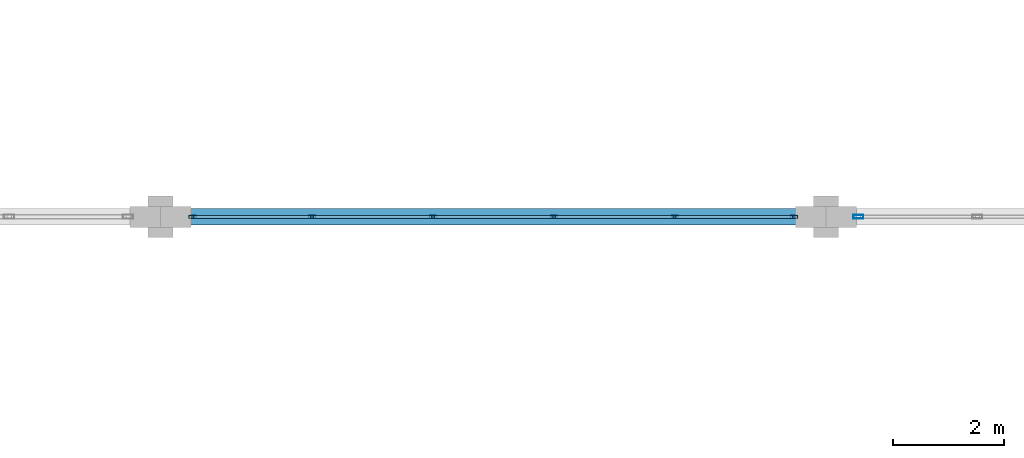
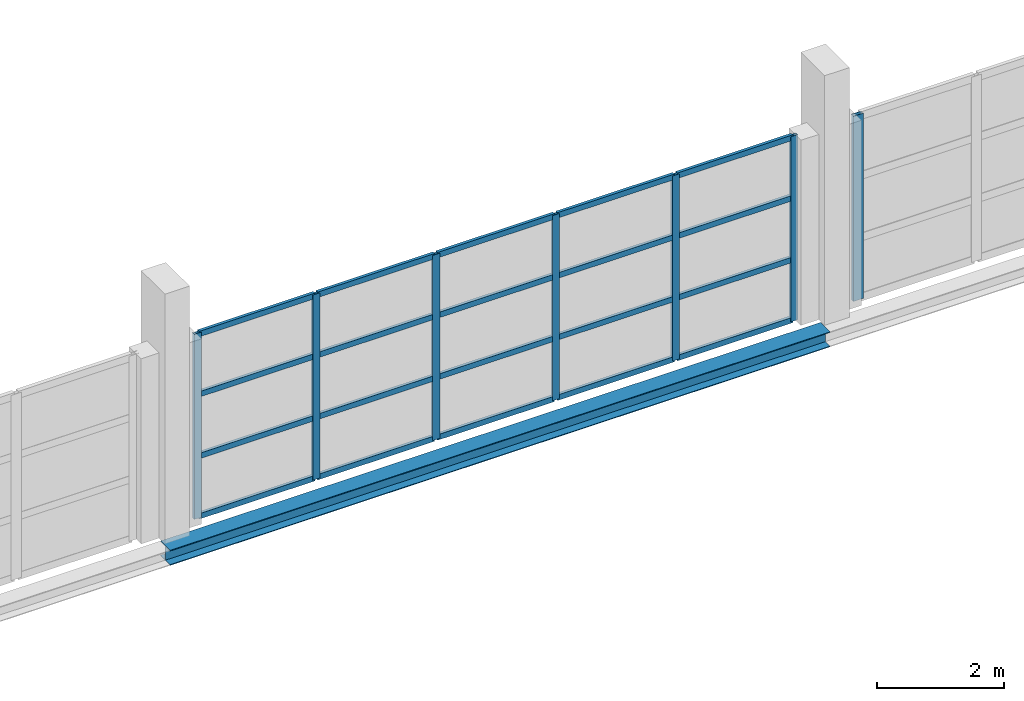
# One storey, part 87 of 147: 27 members, 1 beam, 2 elements without a shape of their own.
"""IFC4 building model written with IfcOpenShell, lengths in metres."""

from ifc_helpers import new_model, si_unit, direction, frame, origin, origin_2d, place, context, subcontext, project, spatial, hollow_rectangle, i_section, extrude, material, layer, layer_set, material_profile, profile_set, type_object, element, aggregate, save


model = new_model("IFC4")

# Units and contexts
model_context = context("Model", 3, precision=1e-05, world=origin(), true_north=direction((0.0, 1.0)))
body_context = subcontext(model_context, "Body", "Model", "MODEL_VIEW")
ifc_project = project(units=[si_unit("LENGTHUNIT", "METRE"), si_unit("AREAUNIT", "SQUARE_METRE"), si_unit("VOLUMEUNIT", "CUBIC_METRE"), si_unit("PLANEANGLEUNIT", "RADIAN"), si_unit("MASSUNIT", "GRAM", prefix="KILO")], contexts=[model_context])

# Site, building, storey
site_placement = place(None, origin())
site = spatial("IfcSite", under=ifc_project, at=site_placement, CompositionType="ELEMENT")
building_placement = place(site_placement, origin())
building = spatial("IfcBuilding", under=site, at=building_placement, Name="Zilviju Railside Exhibition Hall", CompositionType="ELEMENT")
storey_placement = place(building_placement, frame((0.0, 0.0, 8.39990234375)))
storey = spatial("IfcBuildingStorey", under=building, at=storey_placement, Name="L03", CompositionType="ELEMENT", Elevation=8.39990234375)

# Beam
ifc_material_1 = material(Name="Steel S355J2", Category="steel")
ifc_material_profile_1 = material_profile(ifc_material_1, i_section(OverallWidth=0.300048828125, OverallDepth=0.2900390625, WebThickness=0.008544921875, FlangeThickness=0.013916015625, at=origin_2d()), Name="HEA 300")
ifc_profile_set_1 = profile_set([ifc_material_profile_1], Name="Steel S355J2")
beam_type = type_object("IfcBeamType", Name="BM-HEA300", PredefinedType="SPANDREL", material=ifc_profile_set_1)
beam_placement = place(storey_placement, frame((192.0, 54.0, -0.48486328125), z_axis=(1.0, 0.0, 0.0), x_axis=(0.0, 1.0, 0.0)))
element("IfcBeam", 1, at=beam_placement, inside=storey, type_object=beam_type, Name="Primary Girder L03 Y=54.0 (192.0..204.0)", PredefinedType="SPANDREL", context=body_context, shape_type="SweptSolid", body=[
    extrude(i_section(OverallWidth=0.300048828125, OverallDepth=0.2900390625, WebThickness=0.008544921875, FlangeThickness=0.013916015625, at=origin_2d()), origin(), (0.0, 0.0, 1.0), 12.0),
])

# Curtain wall, members
ifc_material_2 = material(Name="Thermally broken aluminium-steel triple-glazed curtain wall", Category="steel")
ifc_layer_1 = layer(ifc_material_2, 0.179931640625)
ifc_layer_set_1 = layer_set([ifc_layer_1], Name="Thermally broken aluminium-steel triple-glazed curtain wall")
curtain_wall_type_1 = type_object("IfcCurtainWallType", Name="CW-BAY-14", PredefinedType="USERDEFINED", material=ifc_layer_set_1)
curtain_wall_1_placement = place(storey_placement, origin())
curtain_wall_1 = element("IfcCurtainWall", 2, at=curtain_wall_1_placement, inside=storey, type_object=curtain_wall_type_1, Name="South Hall Garden Court Curtain Wall L03 (192..204)", ObjectType="GLAZED CURTAIN WALL", PredefinedType="USERDEFINED")
ifc_material_3 = material(Name="Thermally broken anodized aluminium mullion", Category="aluminium")
ifc_material_profile_2 = material_profile(ifc_material_3, hollow_rectangle(XDim=0.054931640625, YDim=0.1298828125, WallThickness=0.0048828125, at=origin_2d()), Name="MULLION 130x55x5")
ifc_profile_set_2 = profile_set([ifc_material_profile_2], Name="Thermally broken anodized aluminium mullion")
member_type_1 = type_object("IfcMemberType", Name="CWM-55x130", PredefinedType="MULLION", material=ifc_profile_set_2)
member_1_placement = place(storey_placement, frame((192.577392578125, 54.0, 0.0), z_axis=(0.0, 0.0, 1.0), x_axis=(0.0, 1.0, 0.0)))
member_1 = element("IfcMember", 3, at=member_1_placement, type_object=member_type_1, Name="CW-14 mullion 1", PredefinedType="MULLION", context=body_context, shape_type="SweptSolid", body=[
    extrude(hollow_rectangle(XDim=0.054931640625, YDim=0.1298828125, WallThickness=0.0048828125, at=origin_2d()), origin(), (0.0, 0.0, 1.0), 3.56005859375),
])
member_2_placement = place(storey_placement, frame((194.72998046875, 54.0, 0.0), z_axis=(0.0, 0.0, 1.0), x_axis=(0.0, 1.0, 0.0)))
member_2 = element("IfcMember", 4, at=member_2_placement, type_object=member_type_1, Name="CW-14 mullion 2", PredefinedType="MULLION", context=body_context, shape_type="SweptSolid", body=[
    extrude(hollow_rectangle(XDim=0.054931640625, YDim=0.1298828125, WallThickness=0.0048828125, at=origin_2d()), origin(), (0.0, 0.0, 1.0), 3.56005859375),
])
member_3_placement = place(storey_placement, frame((196.909912109375, 54.0, 0.0), z_axis=(0.0, 0.0, 1.0), x_axis=(0.0, 1.0, 0.0)))
member_3 = element("IfcMember", 5, at=member_3_placement, type_object=member_type_1, Name="CW-14 mullion 3", PredefinedType="MULLION", context=body_context, shape_type="SweptSolid", body=[
    extrude(hollow_rectangle(XDim=0.054931640625, YDim=0.1298828125, WallThickness=0.0048828125, at=origin_2d()), origin(), (0.0, 0.0, 1.0), 3.56005859375),
])
member_4_placement = place(storey_placement, frame((199.090087890625, 54.0, 0.0), z_axis=(0.0, 0.0, 1.0), x_axis=(0.0, 1.0, 0.0)))
member_4 = element("IfcMember", 6, at=member_4_placement, type_object=member_type_1, Name="CW-14 mullion 4", PredefinedType="MULLION", context=body_context, shape_type="SweptSolid", body=[
    extrude(hollow_rectangle(XDim=0.054931640625, YDim=0.1298828125, WallThickness=0.0048828125, at=origin_2d()), origin(), (0.0, 0.0, 1.0), 3.56005859375),
])
member_5_placement = place(storey_placement, frame((201.27001953125, 54.0, 0.0), z_axis=(0.0, 0.0, 1.0), x_axis=(0.0, 1.0, 0.0)))
member_5 = element("IfcMember", 7, at=member_5_placement, type_object=member_type_1, Name="CW-14 mullion 5", PredefinedType="MULLION", context=body_context, shape_type="SweptSolid", body=[
    extrude(hollow_rectangle(XDim=0.054931640625, YDim=0.1298828125, WallThickness=0.0048828125, at=origin_2d()), origin(), (0.0, 0.0, 1.0), 3.56005859375),
])
member_6_placement = place(storey_placement, frame((203.422607421875, 54.0, 0.0), z_axis=(0.0, 0.0, 1.0), x_axis=(0.0, 1.0, 0.0)))
member_6 = element("IfcMember", 8, at=member_6_placement, type_object=member_type_1, Name="CW-14 mullion 6", PredefinedType="MULLION", context=body_context, shape_type="SweptSolid", body=[
    extrude(hollow_rectangle(XDim=0.054931640625, YDim=0.1298828125, WallThickness=0.0048828125, at=origin_2d()), origin(), (0.0, 0.0, 1.0), 3.56005859375),
])

# Curtain wall, member
ifc_layer_2 = layer(ifc_material_2, 0.179931640625)
ifc_layer_set_2 = layer_set([ifc_layer_2], Name="Thermally broken aluminium-steel triple-glazed curtain wall")
curtain_wall_type_2 = type_object("IfcCurtainWallType", Name="CW-BAY-15", PredefinedType="USERDEFINED", material=ifc_layer_set_2)
curtain_wall_2_placement = place(storey_placement, origin())
curtain_wall_2 = element("IfcCurtainWall", 9, at=curtain_wall_2_placement, inside=storey, type_object=curtain_wall_type_2, Name="South Hall Garden Court Curtain Wall L03 (204..216)", ObjectType="GLAZED CURTAIN WALL", PredefinedType="USERDEFINED")
ifc_material_profile_3 = material_profile(ifc_material_3, hollow_rectangle(XDim=0.070068359375, YDim=0.179931640625, WallThickness=0.0048828125, at=origin_2d()), Name="MULLION 180x70x5")
ifc_profile_set_3 = profile_set([ifc_material_profile_3], Name="Thermally broken anodized aluminium mullion")
member_type_2 = type_object("IfcMemberType", Name="CWM-70x180", PredefinedType="MULLION", material=ifc_profile_set_3)
member_7_placement = place(storey_placement, frame((204.5849609375, 54.0, 0.0), z_axis=(0.0, 0.0, 1.0), x_axis=(0.0, 1.0, 0.0)))
member_7 = element("IfcMember", 10, at=member_7_placement, type_object=member_type_2, Name="CW-15 mullion 1", PredefinedType="MULLION", context=body_context, shape_type="SweptSolid", body=[
    extrude(hollow_rectangle(XDim=0.070068359375, YDim=0.179931640625, WallThickness=0.0048828125, at=origin_2d()), origin(), (0.0, 0.0, 1.0), 3.56005859375),
])
aggregate(curtain_wall_2, [member_7])

# Member
ifc_material_4 = material(Name="Thermally broken anodized aluminium transom", Category="aluminium")
ifc_material_profile_4 = material_profile(ifc_material_4, hollow_rectangle(XDim=0.054931640625, YDim=0.10498046875, WallThickness=0.0048828125, at=origin_2d()), Name="TRANSOM 105x55x5")
ifc_profile_set_4 = profile_set([ifc_material_profile_4], Name="Thermally broken anodized aluminium transom")
member_type_3 = type_object("IfcMemberType", Name="CWT-55x105", PredefinedType="USERDEFINED", material=ifc_profile_set_4)
member_8_placement = place(storey_placement, frame((192.60498046875, 54.0, 0.027587890625), z_axis=(1.0, 0.0, 0.0), x_axis=(0.0, 1.0, 0.0)))
member_8 = element("IfcMember", 11, at=member_8_placement, type_object=member_type_3, Name="CW-14 transom 1.1", ObjectType="TRANSOM", PredefinedType="USERDEFINED", context=body_context, shape_type="SweptSolid", body=[
    extrude(hollow_rectangle(XDim=0.054931640625, YDim=0.10498046875, WallThickness=0.0048828125, at=origin_2d()), origin(), (0.0, 0.0, 1.0), 2.097412109375),
])

member_9_placement = place(storey_placement, frame((192.60498046875, 54.0, 1.18701171875), z_axis=(1.0, 0.0, 0.0), x_axis=(0.0, 1.0, 0.0)))
member_9 = element("IfcMember", 12, at=member_9_placement, type_object=member_type_3, Name="CW-14 transom 1.2", ObjectType="TRANSOM", PredefinedType="USERDEFINED", context=body_context, shape_type="SweptSolid", body=[
    extrude(hollow_rectangle(XDim=0.054931640625, YDim=0.10498046875, WallThickness=0.0048828125, at=origin_2d()), origin(), (0.0, 0.0, 1.0), 2.097412109375),
])

member_10_placement = place(storey_placement, frame((192.60498046875, 54.0, 2.373046875), z_axis=(1.0, 0.0, 0.0), x_axis=(0.0, 1.0, 0.0)))
member_10 = element("IfcMember", 13, at=member_10_placement, type_object=member_type_3, Name="CW-14 transom 1.3", ObjectType="TRANSOM", PredefinedType="USERDEFINED", context=body_context, shape_type="SweptSolid", body=[
    extrude(hollow_rectangle(XDim=0.054931640625, YDim=0.10498046875, WallThickness=0.0048828125, at=origin_2d()), origin(), (0.0, 0.0, 1.0), 2.097412109375),
])

member_11_placement = place(storey_placement, frame((192.60498046875, 54.0, 3.53271484375), z_axis=(1.0, 0.0, 0.0), x_axis=(0.0, 1.0, 0.0)))
member_11 = element("IfcMember", 14, at=member_11_placement, type_object=member_type_3, Name="CW-14 transom 1.4", ObjectType="TRANSOM", PredefinedType="USERDEFINED", context=body_context, shape_type="SweptSolid", body=[
    extrude(hollow_rectangle(XDim=0.054931640625, YDim=0.10498046875, WallThickness=0.0048828125, at=origin_2d()), origin(), (0.0, 0.0, 1.0), 2.097412109375),
])

member_12_placement = place(storey_placement, frame((194.757568359375, 54.0, 0.027587890625), z_axis=(1.0, 0.0, 0.0), x_axis=(0.0, 1.0, 0.0)))
member_12 = element("IfcMember", 15, at=member_12_placement, type_object=member_type_3, Name="CW-14 transom 2.1", ObjectType="TRANSOM", PredefinedType="USERDEFINED", context=body_context, shape_type="SweptSolid", body=[
    extrude(hollow_rectangle(XDim=0.054931640625, YDim=0.10498046875, WallThickness=0.0048828125, at=origin_2d()), origin(), (0.0, 0.0, 1.0), 2.125),
])

member_13_placement = place(storey_placement, frame((194.757568359375, 54.0, 1.18701171875), z_axis=(1.0, 0.0, 0.0), x_axis=(0.0, 1.0, 0.0)))
member_13 = element("IfcMember", 16, at=member_13_placement, type_object=member_type_3, Name="CW-14 transom 2.2", ObjectType="TRANSOM", PredefinedType="USERDEFINED", context=body_context, shape_type="SweptSolid", body=[
    extrude(hollow_rectangle(XDim=0.054931640625, YDim=0.10498046875, WallThickness=0.0048828125, at=origin_2d()), origin(), (0.0, 0.0, 1.0), 2.125),
])

member_14_placement = place(storey_placement, frame((194.757568359375, 54.0, 2.373046875), z_axis=(1.0, 0.0, 0.0), x_axis=(0.0, 1.0, 0.0)))
member_14 = element("IfcMember", 17, at=member_14_placement, type_object=member_type_3, Name="CW-14 transom 2.3", ObjectType="TRANSOM", PredefinedType="USERDEFINED", context=body_context, shape_type="SweptSolid", body=[
    extrude(hollow_rectangle(XDim=0.054931640625, YDim=0.10498046875, WallThickness=0.0048828125, at=origin_2d()), origin(), (0.0, 0.0, 1.0), 2.125),
])

member_15_placement = place(storey_placement, frame((194.757568359375, 54.0, 3.53271484375), z_axis=(1.0, 0.0, 0.0), x_axis=(0.0, 1.0, 0.0)))
member_15 = element("IfcMember", 18, at=member_15_placement, type_object=member_type_3, Name="CW-14 transom 2.4", ObjectType="TRANSOM", PredefinedType="USERDEFINED", context=body_context, shape_type="SweptSolid", body=[
    extrude(hollow_rectangle(XDim=0.054931640625, YDim=0.10498046875, WallThickness=0.0048828125, at=origin_2d()), origin(), (0.0, 0.0, 1.0), 2.125),
])

member_16_placement = place(storey_placement, frame((196.9375, 54.0, 0.027587890625), z_axis=(1.0, 0.0, 0.0), x_axis=(0.0, 1.0, 0.0)))
member_16 = element("IfcMember", 19, at=member_16_placement, type_object=member_type_3, Name="CW-14 transom 3.1", ObjectType="TRANSOM", PredefinedType="USERDEFINED", context=body_context, shape_type="SweptSolid", body=[
    extrude(hollow_rectangle(XDim=0.054931640625, YDim=0.10498046875, WallThickness=0.0048828125, at=origin_2d()), origin(), (0.0, 0.0, 1.0), 2.125),
])

member_17_placement = place(storey_placement, frame((196.9375, 54.0, 1.18701171875), z_axis=(1.0, 0.0, 0.0), x_axis=(0.0, 1.0, 0.0)))
member_17 = element("IfcMember", 20, at=member_17_placement, type_object=member_type_3, Name="CW-14 transom 3.2", ObjectType="TRANSOM", PredefinedType="USERDEFINED", context=body_context, shape_type="SweptSolid", body=[
    extrude(hollow_rectangle(XDim=0.054931640625, YDim=0.10498046875, WallThickness=0.0048828125, at=origin_2d()), origin(), (0.0, 0.0, 1.0), 2.125),
])

member_18_placement = place(storey_placement, frame((196.9375, 54.0, 2.373046875), z_axis=(1.0, 0.0, 0.0), x_axis=(0.0, 1.0, 0.0)))
member_18 = element("IfcMember", 21, at=member_18_placement, type_object=member_type_3, Name="CW-14 transom 3.3", ObjectType="TRANSOM", PredefinedType="USERDEFINED", context=body_context, shape_type="SweptSolid", body=[
    extrude(hollow_rectangle(XDim=0.054931640625, YDim=0.10498046875, WallThickness=0.0048828125, at=origin_2d()), origin(), (0.0, 0.0, 1.0), 2.125),
])

member_19_placement = place(storey_placement, frame((196.9375, 54.0, 3.53271484375), z_axis=(1.0, 0.0, 0.0), x_axis=(0.0, 1.0, 0.0)))
member_19 = element("IfcMember", 22, at=member_19_placement, type_object=member_type_3, Name="CW-14 transom 3.4", ObjectType="TRANSOM", PredefinedType="USERDEFINED", context=body_context, shape_type="SweptSolid", body=[
    extrude(hollow_rectangle(XDim=0.054931640625, YDim=0.10498046875, WallThickness=0.0048828125, at=origin_2d()), origin(), (0.0, 0.0, 1.0), 2.125),
])

member_20_placement = place(storey_placement, frame((199.117431640625, 54.0, 0.027587890625), z_axis=(1.0, 0.0, 0.0), x_axis=(0.0, 1.0, 0.0)))
member_20 = element("IfcMember", 23, at=member_20_placement, type_object=member_type_3, Name="CW-14 transom 4.1", ObjectType="TRANSOM", PredefinedType="USERDEFINED", context=body_context, shape_type="SweptSolid", body=[
    extrude(hollow_rectangle(XDim=0.054931640625, YDim=0.10498046875, WallThickness=0.0048828125, at=origin_2d()), origin(), (0.0, 0.0, 1.0), 2.125),
])

member_21_placement = place(storey_placement, frame((199.117431640625, 54.0, 1.18701171875), z_axis=(1.0, 0.0, 0.0), x_axis=(0.0, 1.0, 0.0)))
member_21 = element("IfcMember", 24, at=member_21_placement, type_object=member_type_3, Name="CW-14 transom 4.2", ObjectType="TRANSOM", PredefinedType="USERDEFINED", context=body_context, shape_type="SweptSolid", body=[
    extrude(hollow_rectangle(XDim=0.054931640625, YDim=0.10498046875, WallThickness=0.0048828125, at=origin_2d()), origin(), (0.0, 0.0, 1.0), 2.125),
])

member_22_placement = place(storey_placement, frame((199.117431640625, 54.0, 2.373046875), z_axis=(1.0, 0.0, 0.0), x_axis=(0.0, 1.0, 0.0)))
member_22 = element("IfcMember", 25, at=member_22_placement, type_object=member_type_3, Name="CW-14 transom 4.3", ObjectType="TRANSOM", PredefinedType="USERDEFINED", context=body_context, shape_type="SweptSolid", body=[
    extrude(hollow_rectangle(XDim=0.054931640625, YDim=0.10498046875, WallThickness=0.0048828125, at=origin_2d()), origin(), (0.0, 0.0, 1.0), 2.125),
])

member_23_placement = place(storey_placement, frame((199.117431640625, 54.0, 3.53271484375), z_axis=(1.0, 0.0, 0.0), x_axis=(0.0, 1.0, 0.0)))
member_23 = element("IfcMember", 26, at=member_23_placement, type_object=member_type_3, Name="CW-14 transom 4.4", ObjectType="TRANSOM", PredefinedType="USERDEFINED", context=body_context, shape_type="SweptSolid", body=[
    extrude(hollow_rectangle(XDim=0.054931640625, YDim=0.10498046875, WallThickness=0.0048828125, at=origin_2d()), origin(), (0.0, 0.0, 1.0), 2.125),
])

member_24_placement = place(storey_placement, frame((201.297607421875, 54.0, 0.027587890625), z_axis=(1.0, 0.0, 0.0), x_axis=(0.0, 1.0, 0.0)))
member_24 = element("IfcMember", 27, at=member_24_placement, type_object=member_type_3, Name="CW-14 transom 5.1", ObjectType="TRANSOM", PredefinedType="USERDEFINED", context=body_context, shape_type="SweptSolid", body=[
    extrude(hollow_rectangle(XDim=0.054931640625, YDim=0.10498046875, WallThickness=0.0048828125, at=origin_2d()), origin(), (0.0, 0.0, 1.0), 2.097412109375),
])

member_25_placement = place(storey_placement, frame((201.297607421875, 54.0, 1.18701171875), z_axis=(1.0, 0.0, 0.0), x_axis=(0.0, 1.0, 0.0)))
member_25 = element("IfcMember", 28, at=member_25_placement, type_object=member_type_3, Name="CW-14 transom 5.2", ObjectType="TRANSOM", PredefinedType="USERDEFINED", context=body_context, shape_type="SweptSolid", body=[
    extrude(hollow_rectangle(XDim=0.054931640625, YDim=0.10498046875, WallThickness=0.0048828125, at=origin_2d()), origin(), (0.0, 0.0, 1.0), 2.097412109375),
])

member_26_placement = place(storey_placement, frame((201.297607421875, 54.0, 2.373046875), z_axis=(1.0, 0.0, 0.0), x_axis=(0.0, 1.0, 0.0)))
member_26 = element("IfcMember", 29, at=member_26_placement, type_object=member_type_3, Name="CW-14 transom 5.3", ObjectType="TRANSOM", PredefinedType="USERDEFINED", context=body_context, shape_type="SweptSolid", body=[
    extrude(hollow_rectangle(XDim=0.054931640625, YDim=0.10498046875, WallThickness=0.0048828125, at=origin_2d()), origin(), (0.0, 0.0, 1.0), 2.097412109375),
])

member_27_placement = place(storey_placement, frame((201.297607421875, 54.0, 3.53271484375), z_axis=(1.0, 0.0, 0.0), x_axis=(0.0, 1.0, 0.0)))
member_27 = element("IfcMember", 30, at=member_27_placement, type_object=member_type_3, Name="CW-14 transom 5.4", ObjectType="TRANSOM", PredefinedType="USERDEFINED", context=body_context, shape_type="SweptSolid", body=[
    extrude(hollow_rectangle(XDim=0.054931640625, YDim=0.10498046875, WallThickness=0.0048828125, at=origin_2d()), origin(), (0.0, 0.0, 1.0), 2.097412109375),
])

aggregate(curtain_wall_1, [member_1, member_2, member_3, member_4, member_5, member_6, member_8, member_9, member_10, member_11, member_12, member_13, member_14, member_15, member_16, member_17, member_18, member_19, member_20, member_21, member_22, member_23, member_24, member_25, member_26, member_27])

save(model, "model.ifc")
